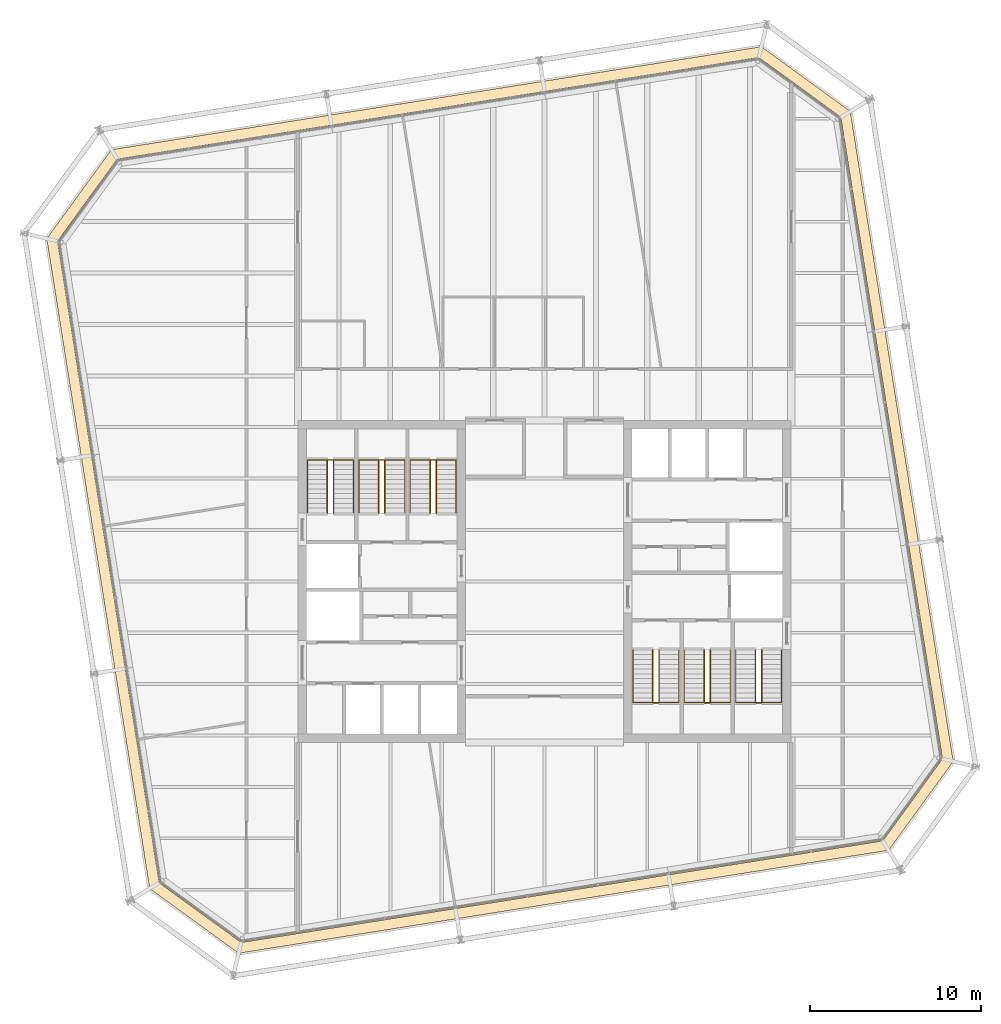
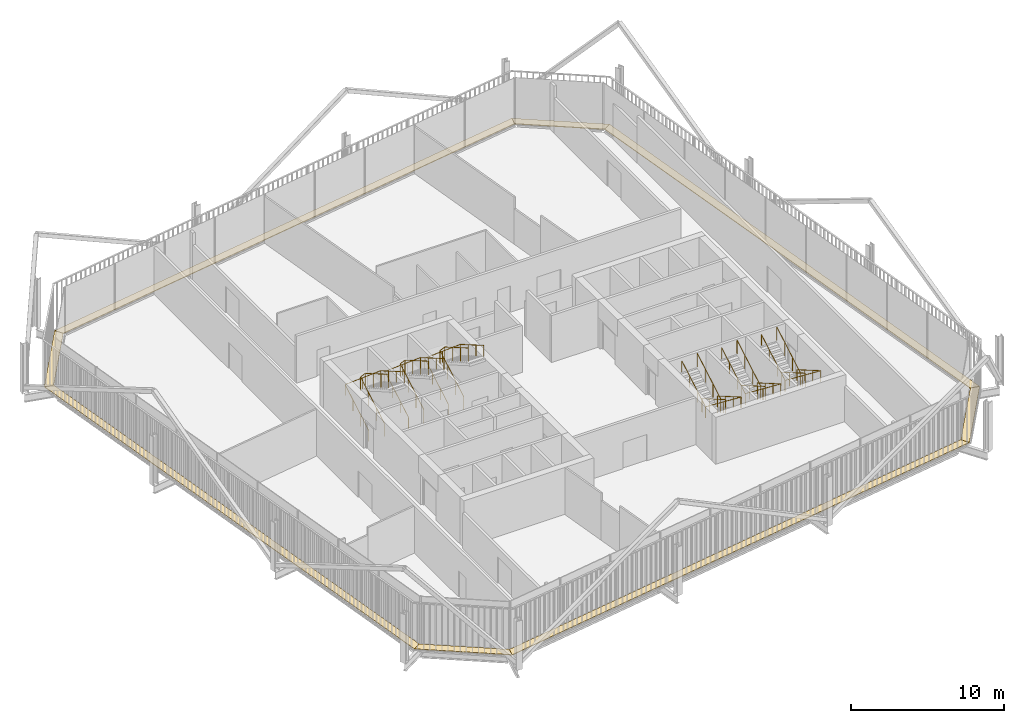
# One storey, part 21 of 21: 12 railings, 8 coverings.
"""IFC4 building model written with IfcOpenShell, lengths in metres."""

from ifc_helpers import new_model, si_unit, direction, frame, origin, origin_2d, place, context, subcontext, project, spatial, polyline, circle, outline, extrude, material, layer, layer_set, type_object, element, save


model = new_model("IFC4")

# Units and contexts
model_context = context("Model", 3, precision=1e-05, world=origin(), true_north=direction((0.0, 1.0)))
body_context = subcontext(model_context, "Body", "Model", "MODEL_VIEW")
ifc_project = project(units=[si_unit("LENGTHUNIT", "METRE"), si_unit("AREAUNIT", "SQUARE_METRE"), si_unit("VOLUMEUNIT", "CUBIC_METRE"), si_unit("PLANEANGLEUNIT", "RADIAN"), si_unit("MASSUNIT", "GRAM", prefix="KILO")], contexts=[model_context])

# Site, building, storey
site_placement = place(None, origin())
site = spatial("IfcSite", under=ifc_project, at=site_placement, CompositionType="ELEMENT")
building_placement = place(site_placement, origin())
building = spatial("IfcBuilding", under=site, at=building_placement, Name="Millrace Tower", CompositionType="ELEMENT")
storey_placement = place(building_placement, frame((0.0, 0.0, 212.5)))
storey = spatial("IfcBuildingStorey", under=building, at=storey_placement, Name="L48", CompositionType="ELEMENT", Elevation=212.5)

# Coverings
ifc_material_1 = material(Name="Steel ASTM A36", Category="steel")
ifc_layer = layer(ifc_material_1, 0.050048828125)
ifc_layer_set = layer_set([ifc_layer], Name="Steel ASTM A36")
covering_type = type_object("IfcCoveringType", Name="CAVITY CATWALK steel grating", PredefinedType="FLOORING", material=ifc_layer_set)
placement = place(storey_placement, frame((0.0, 0.0, 0.10009765625)))
element("IfcCovering", 1, at=placement, inside=storey, type_object=covering_type, Name="Cavity catwalk grating D-F01 L48 1", PredefinedType="FLOORING", context=body_context, shape_type="SweptSolid", body=[
    extrude(outline(polyline([(-23.052490234375, -17.939453125), (-17.85888671875, -21.712890625), (-17.707275390625, -21.081298828125), (-22.49853515625, -17.60009765625), (-23.052490234375, -17.939453125)])), origin(), (0.0, 0.0, 1.0), 0.0498046875),
])
element("IfcCovering", 2, at=placement, inside=storey, type_object=covering_type, Name="Cavity catwalk grating D-F02 L48 1", PredefinedType="FLOORING", context=body_context, shape_type="SweptSolid", body=[
    extrude(outline(polyline([(-17.85888671875, -21.712890625), (20.08935546875, -15.702392578125), (19.750244140625, -15.148681640625), (-17.707275390625, -21.081298828125), (-17.85888671875, -21.712890625)])), origin(), (0.0, 0.0, 1.0), 0.0498046875),
])
element("IfcCovering", 3, at=placement, inside=storey, type_object=covering_type, Name="Cavity catwalk grating D-F03 L48 1", PredefinedType="FLOORING", context=body_context, shape_type="SweptSolid", body=[
    extrude(outline(polyline([(20.08935546875, -15.702392578125), (23.86279296875, -10.5087890625), (23.231201171875, -10.357177734375), (19.750244140625, -15.148681640625), (20.08935546875, -15.702392578125)])), origin(), (0.0, 0.0, 1.0), 0.0498046875),
])
element("IfcCovering", 4, at=placement, inside=storey, type_object=covering_type, Name="Cavity catwalk grating D-F04 L48 1", PredefinedType="FLOORING", context=body_context, shape_type="SweptSolid", body=[
    extrude(outline(polyline([(23.86279296875, -10.5087890625), (17.852294921875, 27.439453125), (17.298583984375, 27.10009765625), (23.231201171875, -10.357177734375), (23.86279296875, -10.5087890625)])), origin(), (0.0, 0.0, 1.0), 0.0498046875),
])
element("IfcCovering", 5, at=placement, inside=storey, type_object=covering_type, Name="Cavity catwalk grating D-F05 L48 1", PredefinedType="FLOORING", context=body_context, shape_type="SweptSolid", body=[
    extrude(outline(polyline([(17.852294921875, 27.439453125), (12.658935546875, 31.212890625), (12.50732421875, 30.581298828125), (17.298583984375, 27.10009765625), (17.852294921875, 27.439453125)])), origin(), (0.0, 0.0, 1.0), 0.0498046875),
])
element("IfcCovering", 6, at=placement, inside=storey, type_object=covering_type, Name="Cavity catwalk grating D-F06 L48 1", PredefinedType="FLOORING", context=body_context, shape_type="SweptSolid", body=[
    extrude(outline(polyline([(12.658935546875, 31.212890625), (-25.28955078125, 25.202392578125), (-24.9501953125, 24.648681640625), (12.50732421875, 30.581298828125), (12.658935546875, 31.212890625)])), origin(), (0.0, 0.0, 1.0), 0.0498046875),
])
element("IfcCovering", 7, at=placement, inside=storey, type_object=covering_type, Name="Cavity catwalk grating D-F07 L48 1", PredefinedType="FLOORING", context=body_context, shape_type="SweptSolid", body=[
    extrude(outline(polyline([(-25.28955078125, 25.202392578125), (-29.062744140625, 20.0087890625), (-28.431396484375, 19.857177734375), (-24.9501953125, 24.648681640625), (-25.28955078125, 25.202392578125)])), origin(), (0.0, 0.0, 1.0), 0.0498046875),
])
element("IfcCovering", 8, at=placement, inside=storey, type_object=covering_type, Name="Cavity catwalk grating D-F08 L48 1", PredefinedType="FLOORING", context=body_context, shape_type="SweptSolid", body=[
    extrude(outline(polyline([(-29.062744140625, 20.0087890625), (-23.052490234375, -17.939453125), (-22.49853515625, -17.60009765625), (-28.431396484375, 19.857177734375), (-29.062744140625, 20.0087890625)])), origin(), (0.0, 0.0, 1.0), 0.0498046875),
])

# Railings
ifc_material_2 = material(Name="Stainless steel ASTM A240 type 316", Category="steel")
railing_type_1 = type_object("IfcRailingType", Name="Stair guard 1100", PredefinedType="GUARDRAIL", material=ifc_material_2)
for number, where, name in (
    (9, (-12.679931640625, 4.0, 0.16259765625), "Stair guard 1 W L48"),
    (10, (-9.679931640625, 4.0, 0.16259765625), "Stair guard 2 W L48"),
    (11, (-6.679931640625, 4.0, 0.16259765625), "Stair guard 3 W L48"),
):
    element("IfcRailing", number, at=place(storey_placement, frame(where)), inside=storey, type_object=railing_type_1, Name=name, PredefinedType="GUARDRAIL", context=body_context, shape_type="SweptSolid", body=[
        extrude(circle(Radius=0.02392578125, at=origin_2d()), frame((0.0, 0.0, 1.076171875), z_axis=(0.0, 0.864920483161, 0.501908913857), x_axis=(-1.0, 0.0, 0.0)), (0.0, 0.0, 1.0), 3.56103515625),
        extrude(circle(Radius=0.02392578125, at=origin_2d()), frame((0.0, 3.080078125, 2.86328125), z_axis=(0.911295775139, 0.0, 0.411752365158), x_axis=(0.0, 1.0, 0.0)), (0.0, 0.0, 1.0), 0.394775390625),
        extrude(circle(Radius=0.02392578125, at=origin_2d()), frame((0.35986328125, 3.080078125, 3.02587890625), z_axis=(0.0, -0.864920483161, 0.501908913857), x_axis=(1.0, 0.0, 0.0)), (0.0, 0.0, 1.0), 3.56103515625),
        extrude(circle(Radius=0.02099609375, at=origin_2d()), origin(), (0.0, 0.0, 1.0), 1.052001953125),
        extrude(circle(Radius=0.02099609375, at=origin_2d()), frame((0.0, 1.026611328125, 0.595703125)), (0.0, 0.0, 1.0), 1.052001953125),
        extrude(circle(Radius=0.02099609375, at=origin_2d()), frame((0.0, 2.053466796875, 1.191650390625)), (0.0, 0.0, 1.0), 1.052001953125),
        extrude(circle(Radius=0.02099609375, at=origin_2d()), frame((0.0, 3.080078125, 1.787353515625)), (0.0, 0.0, 1.0), 1.052001953125),
        extrude(circle(Radius=0.02099609375, at=origin_2d()), frame((0.35986328125, 3.080078125, 1.949951171875)), (0.0, 0.0, 1.0), 1.052001953125),
        extrude(circle(Radius=0.02099609375, at=origin_2d()), frame((0.35986328125, 2.053466796875, 2.545654296875)), (0.0, 0.0, 1.0), 1.052001953125),
        extrude(circle(Radius=0.02099609375, at=origin_2d()), frame((0.35986328125, 1.026611328125, 3.1416015625)), (0.0, 0.0, 1.0), 1.052001953125),
        extrude(circle(Radius=0.02099609375, at=origin_2d()), frame((0.35986328125, 0.0, 3.7373046875)), (0.0, 0.0, 1.0), 1.052001953125),
    ])
for number, where, name in (
    (12, (12.679931640625, -4.0, 0.16259765625), "Stair guard 1 E L48"),
    (13, (9.679931640625, -4.0, 0.16259765625), "Stair guard 2 E L48"),
    (14, (6.679931640625, -4.0, 0.16259765625), "Stair guard 3 E L48"),
):
    element("IfcRailing", number, at=place(storey_placement, frame(where)), inside=storey, type_object=railing_type_1, Name=name, PredefinedType="GUARDRAIL", context=body_context, shape_type="SweptSolid", body=[
        extrude(circle(Radius=0.02392578125, at=origin_2d()), frame((0.0, 0.0, 1.076171875), z_axis=(0.0, -0.864920483161, 0.501908913857), x_axis=(1.0, 0.0, 0.0)), (0.0, 0.0, 1.0), 3.56103515625),
        extrude(circle(Radius=0.02392578125, at=origin_2d()), frame((0.0, -3.080078125, 2.86328125), z_axis=(-0.911295775139, 0.0, 0.411752365158), x_axis=(0.0, -1.0, 0.0)), (0.0, 0.0, 1.0), 0.394775390625),
        extrude(circle(Radius=0.02392578125, at=origin_2d()), frame((-0.35986328125, -3.080078125, 3.02587890625), z_axis=(0.0, 0.864920483161, 0.501908913857), x_axis=(-1.0, 0.0, 0.0)), (0.0, 0.0, 1.0), 3.56103515625),
        extrude(circle(Radius=0.02099609375, at=origin_2d()), origin(), (0.0, 0.0, 1.0), 1.052001953125),
        extrude(circle(Radius=0.02099609375, at=origin_2d()), frame((0.0, -1.026611328125, 0.595703125)), (0.0, 0.0, 1.0), 1.052001953125),
        extrude(circle(Radius=0.02099609375, at=origin_2d()), frame((0.0, -2.053466796875, 1.191650390625)), (0.0, 0.0, 1.0), 1.052001953125),
        extrude(circle(Radius=0.02099609375, at=origin_2d()), frame((0.0, -3.080078125, 1.787353515625)), (0.0, 0.0, 1.0), 1.052001953125),
        extrude(circle(Radius=0.02099609375, at=origin_2d()), frame((-0.35986328125, -3.080078125, 1.949951171875)), (0.0, 0.0, 1.0), 1.052001953125),
        extrude(circle(Radius=0.02099609375, at=origin_2d()), frame((-0.35986328125, -2.053466796875, 2.545654296875)), (0.0, 0.0, 1.0), 1.052001953125),
        extrude(circle(Radius=0.02099609375, at=origin_2d()), frame((-0.35986328125, -1.026611328125, 3.1416015625)), (0.0, 0.0, 1.0), 1.052001953125),
        extrude(circle(Radius=0.02099609375, at=origin_2d()), frame((-0.35986328125, 0.0, 3.7373046875)), (0.0, 0.0, 1.0), 1.052001953125),
    ])
ifc_material_3 = material(Name="Stainless steel ASTM A240 type 316", Category="steel")
railing_type_2 = type_object("IfcRailingType", Name="Stair handrail 900", PredefinedType="HANDRAIL", material=ifc_material_3)
railing_1_placement = place(storey_placement, frame((-13.840087890625, 4.0, 0.16259765625)))
element("IfcRailing", 15, at=railing_1_placement, inside=storey, type_object=railing_type_2, Name="Stair handrail 1 W L48", PredefinedType="HANDRAIL", context=body_context, shape_type="SweptSolid", body=[
    extrude(circle(Radius=0.02392578125, at=origin_2d()), frame((0.0, 0.0, 0.8759765625), z_axis=(0.0, 0.864920483161, 0.501908913857), x_axis=(-1.0, 0.0, 0.0)), (0.0, 0.0, 1.0), 3.56103515625),
    extrude(circle(Radius=0.02392578125, at=origin_2d()), frame((0.0, 3.080078125, 2.6630859375), z_axis=(0.998164834547, 0.0, 0.060555454528), x_axis=(0.0, 1.0, 0.0)), (0.0, 0.0, 1.0), 2.68505859375),
    extrude(circle(Radius=0.02392578125, at=origin_2d()), frame((2.68017578125, 3.080078125, 2.82568359375), z_axis=(0.0, -0.864920483161, 0.501908913857), x_axis=(1.0, 0.0, 0.0)), (0.0, 0.0, 1.0), 3.56103515625),
    extrude(circle(Radius=0.02099609375, at=origin_2d()), origin(), (0.0, 0.0, 1.0), 0.851806640625),
    extrude(circle(Radius=0.02099609375, at=origin_2d()), frame((0.0, 1.026611328125, 0.595703125)), (0.0, 0.0, 1.0), 0.851806640625),
    extrude(circle(Radius=0.02099609375, at=origin_2d()), frame((0.0, 2.053466796875, 1.191650390625)), (0.0, 0.0, 1.0), 0.851806640625),
    extrude(circle(Radius=0.02099609375, at=origin_2d()), frame((0.0, 3.080078125, 1.787353515625)), (0.0, 0.0, 1.0), 0.851806640625),
    extrude(circle(Radius=0.02099609375, at=origin_2d()), frame((1.340087890625, 3.080078125, 1.86865234375)), (0.0, 0.0, 1.0), 0.851806640625),
    extrude(circle(Radius=0.02099609375, at=origin_2d()), frame((2.68017578125, 3.080078125, 1.949951171875)), (0.0, 0.0, 1.0), 0.851806640625),
    extrude(circle(Radius=0.02099609375, at=origin_2d()), frame((2.68017578125, 2.053466796875, 2.545654296875)), (0.0, 0.0, 1.0), 0.851806640625),
    extrude(circle(Radius=0.02099609375, at=origin_2d()), frame((2.68017578125, 1.026611328125, 3.1416015625)), (0.0, 0.0, 1.0), 0.851806640625),
    extrude(circle(Radius=0.02099609375, at=origin_2d()), frame((2.68017578125, 0.0, 3.7373046875)), (0.0, 0.0, 1.0), 0.851806640625),
])
railing_2_placement = place(storey_placement, frame((-10.840087890625, 4.0, 0.16259765625)))
element("IfcRailing", 16, at=railing_2_placement, inside=storey, type_object=railing_type_2, Name="Stair handrail 2 W L48", PredefinedType="HANDRAIL", context=body_context, shape_type="SweptSolid", body=[
    extrude(circle(Radius=0.02392578125, at=origin_2d()), frame((0.0, 0.0, 0.8759765625), z_axis=(0.0, 0.864920483161, 0.501908913857), x_axis=(-1.0, 0.0, 0.0)), (0.0, 0.0, 1.0), 3.56103515625),
    extrude(circle(Radius=0.02392578125, at=origin_2d()), frame((0.0, 3.080078125, 2.6630859375), z_axis=(0.998164834547, 0.0, 0.060555454528), x_axis=(0.0, 1.0, 0.0)), (0.0, 0.0, 1.0), 2.68505859375),
    extrude(circle(Radius=0.02392578125, at=origin_2d()), frame((2.68017578125, 3.080078125, 2.82568359375), z_axis=(0.0, -0.864920483161, 0.501908913857), x_axis=(1.0, 0.0, 0.0)), (0.0, 0.0, 1.0), 3.56103515625),
    extrude(circle(Radius=0.02099609375, at=origin_2d()), origin(), (0.0, 0.0, 1.0), 0.851806640625),
    extrude(circle(Radius=0.02099609375, at=origin_2d()), frame((0.0, 1.026611328125, 0.595703125)), (0.0, 0.0, 1.0), 0.851806640625),
    extrude(circle(Radius=0.02099609375, at=origin_2d()), frame((0.0, 2.053466796875, 1.191650390625)), (0.0, 0.0, 1.0), 0.851806640625),
    extrude(circle(Radius=0.02099609375, at=origin_2d()), frame((0.0, 3.080078125, 1.787353515625)), (0.0, 0.0, 1.0), 0.851806640625),
    extrude(circle(Radius=0.02099609375, at=origin_2d()), frame((1.340087890625, 3.080078125, 1.86865234375)), (0.0, 0.0, 1.0), 0.851806640625),
    extrude(circle(Radius=0.02099609375, at=origin_2d()), frame((2.68017578125, 3.080078125, 1.949951171875)), (0.0, 0.0, 1.0), 0.851806640625),
    extrude(circle(Radius=0.02099609375, at=origin_2d()), frame((2.68017578125, 2.053466796875, 2.545654296875)), (0.0, 0.0, 1.0), 0.851806640625),
    extrude(circle(Radius=0.02099609375, at=origin_2d()), frame((2.68017578125, 1.026611328125, 3.1416015625)), (0.0, 0.0, 1.0), 0.851806640625),
    extrude(circle(Radius=0.02099609375, at=origin_2d()), frame((2.68017578125, 0.0, 3.7373046875)), (0.0, 0.0, 1.0), 0.851806640625),
])
railing_3_placement = place(storey_placement, frame((-7.840087890625, 4.0, 0.16259765625)))
element("IfcRailing", 17, at=railing_3_placement, inside=storey, type_object=railing_type_2, Name="Stair handrail 3 W L48", PredefinedType="HANDRAIL", context=body_context, shape_type="SweptSolid", body=[
    extrude(circle(Radius=0.02392578125, at=origin_2d()), frame((0.0, 0.0, 0.8759765625), z_axis=(0.0, 0.864920483161, 0.501908913857), x_axis=(-1.0, 0.0, 0.0)), (0.0, 0.0, 1.0), 3.56103515625),
    extrude(circle(Radius=0.02392578125, at=origin_2d()), frame((0.0, 3.080078125, 2.6630859375), z_axis=(0.998164834547, 0.0, 0.060555454528), x_axis=(0.0, 1.0, 0.0)), (0.0, 0.0, 1.0), 2.68505859375),
    extrude(circle(Radius=0.02392578125, at=origin_2d()), frame((2.68017578125, 3.080078125, 2.82568359375), z_axis=(0.0, -0.864920483161, 0.501908913857), x_axis=(1.0, 0.0, 0.0)), (0.0, 0.0, 1.0), 3.56103515625),
    extrude(circle(Radius=0.02099609375, at=origin_2d()), origin(), (0.0, 0.0, 1.0), 0.851806640625),
    extrude(circle(Radius=0.02099609375, at=origin_2d()), frame((0.0, 1.026611328125, 0.595703125)), (0.0, 0.0, 1.0), 0.851806640625),
    extrude(circle(Radius=0.02099609375, at=origin_2d()), frame((0.0, 2.053466796875, 1.191650390625)), (0.0, 0.0, 1.0), 0.851806640625),
    extrude(circle(Radius=0.02099609375, at=origin_2d()), frame((0.0, 3.080078125, 1.787353515625)), (0.0, 0.0, 1.0), 0.851806640625),
    extrude(circle(Radius=0.02099609375, at=origin_2d()), frame((1.340087890625, 3.080078125, 1.86865234375)), (0.0, 0.0, 1.0), 0.851806640625),
    extrude(circle(Radius=0.02099609375, at=origin_2d()), frame((2.68017578125, 3.080078125, 1.949951171875)), (0.0, 0.0, 1.0), 0.851806640625),
    extrude(circle(Radius=0.02099609375, at=origin_2d()), frame((2.68017578125, 2.053466796875, 2.545654296875)), (0.0, 0.0, 1.0), 0.851806640625),
    extrude(circle(Radius=0.02099609375, at=origin_2d()), frame((2.68017578125, 1.026611328125, 3.1416015625)), (0.0, 0.0, 1.0), 0.851806640625),
    extrude(circle(Radius=0.02099609375, at=origin_2d()), frame((2.68017578125, 0.0, 3.7373046875)), (0.0, 0.0, 1.0), 0.851806640625),
])
railing_4_placement = place(storey_placement, frame((13.840087890625, -4.0, 0.16259765625)))
element("IfcRailing", 18, at=railing_4_placement, inside=storey, type_object=railing_type_2, Name="Stair handrail 1 E L48", PredefinedType="HANDRAIL", context=body_context, shape_type="SweptSolid", body=[
    extrude(circle(Radius=0.02392578125, at=origin_2d()), frame((0.0, 0.0, 0.8759765625), z_axis=(0.0, -0.864920483161, 0.501908913857), x_axis=(1.0, 0.0, 0.0)), (0.0, 0.0, 1.0), 3.56103515625),
    extrude(circle(Radius=0.02392578125, at=origin_2d()), frame((0.0, -3.080078125, 2.6630859375), z_axis=(-0.998164834547, 0.0, 0.060555454528), x_axis=(0.0, -1.0, 0.0)), (0.0, 0.0, 1.0), 2.68505859375),
    extrude(circle(Radius=0.02392578125, at=origin_2d()), frame((-2.68017578125, -3.080078125, 2.82568359375), z_axis=(0.0, 0.864920483161, 0.501908913857), x_axis=(-1.0, 0.0, 0.0)), (0.0, 0.0, 1.0), 3.56103515625),
    extrude(circle(Radius=0.02099609375, at=origin_2d()), origin(), (0.0, 0.0, 1.0), 0.851806640625),
    extrude(circle(Radius=0.02099609375, at=origin_2d()), frame((0.0, -1.026611328125, 0.595703125)), (0.0, 0.0, 1.0), 0.851806640625),
    extrude(circle(Radius=0.02099609375, at=origin_2d()), frame((0.0, -2.053466796875, 1.191650390625)), (0.0, 0.0, 1.0), 0.851806640625),
    extrude(circle(Radius=0.02099609375, at=origin_2d()), frame((0.0, -3.080078125, 1.787353515625)), (0.0, 0.0, 1.0), 0.851806640625),
    extrude(circle(Radius=0.02099609375, at=origin_2d()), frame((-1.340087890625, -3.080078125, 1.86865234375)), (0.0, 0.0, 1.0), 0.851806640625),
    extrude(circle(Radius=0.02099609375, at=origin_2d()), frame((-2.68017578125, -3.080078125, 1.949951171875)), (0.0, 0.0, 1.0), 0.851806640625),
    extrude(circle(Radius=0.02099609375, at=origin_2d()), frame((-2.68017578125, -2.053466796875, 2.545654296875)), (0.0, 0.0, 1.0), 0.851806640625),
    extrude(circle(Radius=0.02099609375, at=origin_2d()), frame((-2.68017578125, -1.026611328125, 3.1416015625)), (0.0, 0.0, 1.0), 0.851806640625),
    extrude(circle(Radius=0.02099609375, at=origin_2d()), frame((-2.68017578125, 0.0, 3.7373046875)), (0.0, 0.0, 1.0), 0.851806640625),
])
railing_5_placement = place(storey_placement, frame((10.840087890625, -4.0, 0.16259765625)))
element("IfcRailing", 19, at=railing_5_placement, inside=storey, type_object=railing_type_2, Name="Stair handrail 2 E L48", PredefinedType="HANDRAIL", context=body_context, shape_type="SweptSolid", body=[
    extrude(circle(Radius=0.02392578125, at=origin_2d()), frame((0.0, 0.0, 0.8759765625), z_axis=(0.0, -0.864920483161, 0.501908913857), x_axis=(1.0, 0.0, 0.0)), (0.0, 0.0, 1.0), 3.56103515625),
    extrude(circle(Radius=0.02392578125, at=origin_2d()), frame((0.0, -3.080078125, 2.6630859375), z_axis=(-0.998164834547, 0.0, 0.060555454528), x_axis=(0.0, -1.0, 0.0)), (0.0, 0.0, 1.0), 2.68505859375),
    extrude(circle(Radius=0.02392578125, at=origin_2d()), frame((-2.68017578125, -3.080078125, 2.82568359375), z_axis=(0.0, 0.864920483161, 0.501908913857), x_axis=(-1.0, 0.0, 0.0)), (0.0, 0.0, 1.0), 3.56103515625),
    extrude(circle(Radius=0.02099609375, at=origin_2d()), origin(), (0.0, 0.0, 1.0), 0.851806640625),
    extrude(circle(Radius=0.02099609375, at=origin_2d()), frame((0.0, -1.026611328125, 0.595703125)), (0.0, 0.0, 1.0), 0.851806640625),
    extrude(circle(Radius=0.02099609375, at=origin_2d()), frame((0.0, -2.053466796875, 1.191650390625)), (0.0, 0.0, 1.0), 0.851806640625),
    extrude(circle(Radius=0.02099609375, at=origin_2d()), frame((0.0, -3.080078125, 1.787353515625)), (0.0, 0.0, 1.0), 0.851806640625),
    extrude(circle(Radius=0.02099609375, at=origin_2d()), frame((-1.340087890625, -3.080078125, 1.86865234375)), (0.0, 0.0, 1.0), 0.851806640625),
    extrude(circle(Radius=0.02099609375, at=origin_2d()), frame((-2.68017578125, -3.080078125, 1.949951171875)), (0.0, 0.0, 1.0), 0.851806640625),
    extrude(circle(Radius=0.02099609375, at=origin_2d()), frame((-2.68017578125, -2.053466796875, 2.545654296875)), (0.0, 0.0, 1.0), 0.851806640625),
    extrude(circle(Radius=0.02099609375, at=origin_2d()), frame((-2.68017578125, -1.026611328125, 3.1416015625)), (0.0, 0.0, 1.0), 0.851806640625),
    extrude(circle(Radius=0.02099609375, at=origin_2d()), frame((-2.68017578125, 0.0, 3.7373046875)), (0.0, 0.0, 1.0), 0.851806640625),
])
railing_6_placement = place(storey_placement, frame((7.840087890625, -4.0, 0.16259765625)))
element("IfcRailing", 20, at=railing_6_placement, inside=storey, type_object=railing_type_2, Name="Stair handrail 3 E L48", PredefinedType="HANDRAIL", context=body_context, shape_type="SweptSolid", body=[
    extrude(circle(Radius=0.02392578125, at=origin_2d()), frame((0.0, 0.0, 0.8759765625), z_axis=(0.0, -0.864920483161, 0.501908913857), x_axis=(1.0, 0.0, 0.0)), (0.0, 0.0, 1.0), 3.56103515625),
    extrude(circle(Radius=0.02392578125, at=origin_2d()), frame((0.0, -3.080078125, 2.6630859375), z_axis=(-0.998164834547, 0.0, 0.060555454528), x_axis=(0.0, -1.0, 0.0)), (0.0, 0.0, 1.0), 2.68505859375),
    extrude(circle(Radius=0.02392578125, at=origin_2d()), frame((-2.68017578125, -3.080078125, 2.82568359375), z_axis=(0.0, 0.864920483161, 0.501908913857), x_axis=(-1.0, 0.0, 0.0)), (0.0, 0.0, 1.0), 3.56103515625),
    extrude(circle(Radius=0.02099609375, at=origin_2d()), origin(), (0.0, 0.0, 1.0), 0.851806640625),
    extrude(circle(Radius=0.02099609375, at=origin_2d()), frame((0.0, -1.026611328125, 0.595703125)), (0.0, 0.0, 1.0), 0.851806640625),
    extrude(circle(Radius=0.02099609375, at=origin_2d()), frame((0.0, -2.053466796875, 1.191650390625)), (0.0, 0.0, 1.0), 0.851806640625),
    extrude(circle(Radius=0.02099609375, at=origin_2d()), frame((0.0, -3.080078125, 1.787353515625)), (0.0, 0.0, 1.0), 0.851806640625),
    extrude(circle(Radius=0.02099609375, at=origin_2d()), frame((-1.340087890625, -3.080078125, 1.86865234375)), (0.0, 0.0, 1.0), 0.851806640625),
    extrude(circle(Radius=0.02099609375, at=origin_2d()), frame((-2.68017578125, -3.080078125, 1.949951171875)), (0.0, 0.0, 1.0), 0.851806640625),
    extrude(circle(Radius=0.02099609375, at=origin_2d()), frame((-2.68017578125, -2.053466796875, 2.545654296875)), (0.0, 0.0, 1.0), 0.851806640625),
    extrude(circle(Radius=0.02099609375, at=origin_2d()), frame((-2.68017578125, -1.026611328125, 3.1416015625)), (0.0, 0.0, 1.0), 0.851806640625),
    extrude(circle(Radius=0.02099609375, at=origin_2d()), frame((-2.68017578125, 0.0, 3.7373046875)), (0.0, 0.0, 1.0), 0.851806640625),
])

save(model, "model.ifc")
